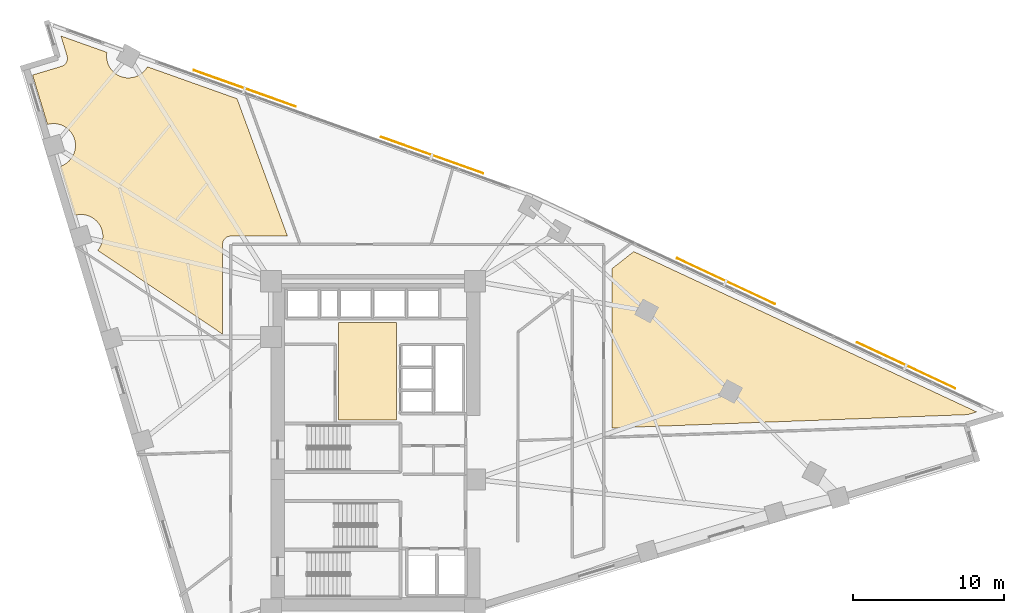
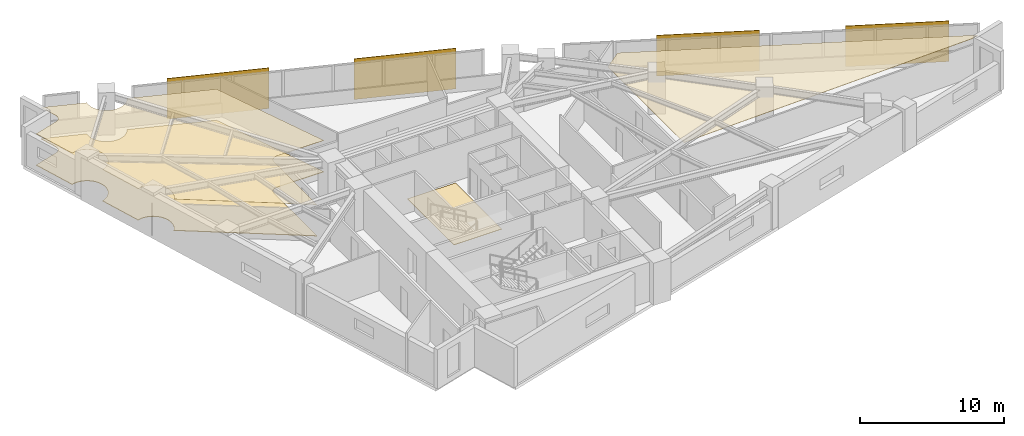
# One storey, part 15 of 15: 4 coverings, 4 shading devices.
"""IFC4 building model written with IfcOpenShell, lengths in metres."""

from ifc_helpers import new_model, si_unit, direction, frame, origin, origin_2d, place, context, subcontext, project, spatial, polyline, rectangle, outline, extrude, material, layer, layer_set, type_object, element, save


model = new_model("IFC4")

# Units and contexts
model_context = context("Model", 3, precision=1e-05, world=origin(), true_north=direction((0.0, 1.0)))
body_context = subcontext(model_context, "Body", "Model", "MODEL_VIEW")
ifc_project = project(units=[si_unit("LENGTHUNIT", "METRE"), si_unit("AREAUNIT", "SQUARE_METRE"), si_unit("VOLUMEUNIT", "CUBIC_METRE"), si_unit("PLANEANGLEUNIT", "RADIAN"), si_unit("MASSUNIT", "GRAM", prefix="KILO")], contexts=[model_context])

# Site, building, storey
site_placement = place(None, origin())
site = spatial("IfcSite", under=ifc_project, at=site_placement, CompositionType="ELEMENT")
building_placement = place(site_placement, origin())
building = spatial("IfcBuilding", under=site, at=building_placement, Name="Narakoshi Arena Tower", CompositionType="ELEMENT")
storey_placement = place(building_placement, frame((0.0, 0.0, 143.10009765625)))
storey = spatial("IfcBuildingStorey", under=building, at=storey_placement, Name="L38", CompositionType="ELEMENT", Elevation=143.10009765625)

# Coverings
ifc_material_1 = material(Name="Acoustic mineral-fibre ceiling tile")
ifc_layer_1 = layer(ifc_material_1, 0.02001953125)
ifc_layer_set_1 = layer_set([ifc_layer_1], Name="Acoustic mineral-fibre ceiling tile")
covering_type_1 = type_object("IfcCoveringType", Name="COV-CLG-AC20", PredefinedType="CEILING", material=ifc_layer_set_1)
covering_1_placement = place(storey_placement, frame((0.0, 0.0, 2.669921875)))
element("IfcCovering", 1, at=covering_1_placement, inside=storey, type_object=covering_type_1, Name="L38 Suspended Acoustic Ceiling 1", PredefinedType="CEILING", context=body_context, shape_type="SweptSolid", body=[
    extrude(outline(polyline([(58.1015625, 70.76611328125), (58.15234375, 70.7841796875), (58.201171875, 70.80712890625), (58.24755859375, 70.834716796875), (58.291015625, 70.86669921875), (58.3310546875, 70.903076171875), (58.367431640625, 70.94287109375), (58.399658203125, 70.986083984375), (58.427490234375, 71.032470703125), (58.45068359375, 71.0810546875), (58.468994140625, 71.1318359375), (58.482177734375, 71.18408203125), (58.490234375, 71.237548828125), (58.492919921875, 71.29150390625), (58.490478515625, 71.345458984375), (58.482666015625, 71.398681640625), (58.4697265625, 71.451171875), (58.070068359375, 72.77880859375), (61.1171875, 71.693603515625), (61.102294921875, 71.59228515625), (61.09521484375, 71.4501953125), (61.102294921875, 71.30810546875), (61.123046875, 71.16748046875), (61.15771484375, 71.029296875), (61.20556640625, 70.8955078125), (61.266357421875, 70.766845703125), (61.339599609375, 70.644775390625), (61.42431640625, 70.530517578125), (61.52001953125, 70.425048828125), (61.625244140625, 70.329345703125), (61.739501953125, 70.24462890625), (61.86181640625, 70.17138671875), (61.990234375, 70.110595703125), (62.124267578125, 70.062744140625), (62.26220703125, 70.0283203125), (62.403076171875, 70.00732421875), (62.545166015625, 70.000244140625), (62.687255859375, 70.00732421875), (62.828125, 70.0283203125), (62.966064453125, 70.062744140625), (63.10009765625, 70.110595703125), (63.228759765625, 70.17138671875), (63.350830078125, 70.24462890625), (63.465087890625, 70.329345703125), (63.570556640625, 70.425048828125), (63.666015625, 70.530517578125), (63.750732421875, 70.644775390625), (63.8056640625, 70.736083984375), (69.755615234375, 68.616943359375), (73.10302734375, 59.493896484375), (69.344970703125, 59.493896484375), (69.291015625, 59.491455078125), (69.23779296875, 59.4833984375), (69.185302734375, 59.47021484375), (69.134521484375, 59.4521484375), (69.085693359375, 59.42919921875), (69.039306640625, 59.4013671875), (68.99609375, 59.369140625), (68.9560546875, 59.3330078125), (68.919921875, 59.29296875), (68.8876953125, 59.24951171875), (68.85986328125, 59.203369140625), (68.8369140625, 59.154541015625), (68.818603515625, 59.103759765625), (68.8056640625, 59.05126953125), (68.797607421875, 58.997802734375), (68.794921875, 58.944091796875), (68.794921875, 52.987060546875), (60.50439453125, 58.547607421875), (60.516845703125, 58.561279296875), (60.6015625, 58.675537109375), (60.6748046875, 58.797607421875), (60.735595703125, 58.92626953125), (60.78369140625, 59.060302734375), (60.818115234375, 59.1982421875), (60.839111328125, 59.339111328125), (60.845947265625, 59.481201171875), (60.839111328125, 59.623291015625), (60.818115234375, 59.76416015625), (60.78369140625, 59.902099609375), (60.735595703125, 60.0361328125), (60.6748046875, 60.164794921875), (60.6015625, 60.286865234375), (60.516845703125, 60.401123046875), (60.42138671875, 60.506591796875), (60.31591796875, 60.60205078125), (60.20166015625, 60.686767578125), (60.07958984375, 60.760009765625), (59.950927734375, 60.82080078125), (59.81689453125, 60.868896484375), (59.678955078125, 60.9033203125), (59.5380859375, 60.92431640625), (59.39599609375, 60.93115234375), (59.25390625, 60.92431640625), (59.113037109375, 60.9033203125), (58.98779296875, 60.8720703125), (58.00830078125, 64.126953125), (58.1357421875, 64.172607421875), (58.264404296875, 64.2333984375), (58.386474609375, 64.306396484375), (58.500732421875, 64.39111328125), (58.606201171875, 64.48681640625), (58.701904296875, 64.59228515625), (58.78662109375, 64.70654296875), (58.859619140625, 64.82861328125), (58.92041015625, 64.957275390625), (58.968505859375, 65.09130859375), (59.0029296875, 65.229248046875), (59.02392578125, 65.3701171875), (59.031005859375, 65.51220703125), (59.02392578125, 65.654296875), (59.0029296875, 65.794921875), (58.968505859375, 65.93310546875), (58.92041015625, 66.06689453125), (58.859619140625, 66.195556640625), (58.78662109375, 66.317626953125), (58.701904296875, 66.431884765625), (58.606201171875, 66.537353515625), (58.500732421875, 66.633056640625), (58.386474609375, 66.7177734375), (58.264404296875, 66.791015625), (58.1357421875, 66.851806640625), (58.001708984375, 66.899658203125), (57.86376953125, 66.93408203125), (57.722900390625, 66.955078125), (57.580810546875, 66.962158203125), (57.438720703125, 66.955078125), (57.298095703125, 66.93408203125), (57.1728515625, 66.90283203125), (56.183837890625, 70.18896484375), (58.1015625, 70.76611328125)])), origin(), (0.0, 0.0, 1.0), 0.02001953125),
])
ifc_material_2 = material(Name="Slatted oak acoustic timber baffle", Category="wood")
ifc_layer_2 = layer(ifc_material_2, 0.034912109375)
ifc_layer_set_2 = layer_set([ifc_layer_2], Name="Slatted oak acoustic timber baffle")
covering_type_2 = type_object("IfcCoveringType", Name="COV-CLG-WD35", PredefinedType="CEILING", material=ifc_layer_set_2)
covering_2_placement = place(storey_placement, frame((0.0, 0.0, 2.65478515625)))
element("IfcCovering", 2, at=covering_2_placement, inside=storey, type_object=covering_type_2, Name="L38 Suspended Acoustic Ceiling 2", PredefinedType="CEILING", context=body_context, shape_type="SweptSolid", body=[
    extrude(outline(polyline([(118.25732421875, 47.643798828125), (94.655029296875, 46.757568359375), (94.655029296875, 57.339599609375), (96.091064453125, 58.4677734375), (118.8564453125, 47.823974609375), (118.25732421875, 47.643798828125)])), origin(), (0.0, 0.0, 1.0), 0.03515625),
])
ifc_material_3 = material(Name="Raised steel access floor panel", Category="steel")
ifc_layer_3 = layer(ifc_material_3, 0.044921875)
ifc_layer_set_3 = layer_set([ifc_layer_3], Name="Raised steel access floor panel")
covering_type_3 = type_object("IfcCoveringType", Name="COV-FLR-RF45", PredefinedType="FLOORING", material=ifc_layer_set_3)
covering_3_placement = place(storey_placement, origin())
element("IfcCovering", 3, at=covering_3_placement, inside=storey, type_object=covering_type_3, Name="L38 Raised Steel Access Floor", PredefinedType="FLOORING", context=body_context, shape_type="SweptSolid", body=[
    extrude(outline(polyline([(58.1015625, 70.76611328125), (58.15234375, 70.7841796875), (58.201171875, 70.80712890625), (58.24755859375, 70.834716796875), (58.291015625, 70.86669921875), (58.3310546875, 70.903076171875), (58.367431640625, 70.94287109375), (58.399658203125, 70.986083984375), (58.427490234375, 71.032470703125), (58.45068359375, 71.0810546875), (58.468994140625, 71.1318359375), (58.482177734375, 71.18408203125), (58.490234375, 71.237548828125), (58.492919921875, 71.29150390625), (58.490478515625, 71.345458984375), (58.482666015625, 71.398681640625), (58.4697265625, 71.451171875), (58.070068359375, 72.77880859375), (61.1171875, 71.693603515625), (61.102294921875, 71.59228515625), (61.09521484375, 71.4501953125), (61.102294921875, 71.30810546875), (61.123046875, 71.16748046875), (61.15771484375, 71.029296875), (61.20556640625, 70.8955078125), (61.266357421875, 70.766845703125), (61.339599609375, 70.644775390625), (61.42431640625, 70.530517578125), (61.52001953125, 70.425048828125), (61.625244140625, 70.329345703125), (61.739501953125, 70.24462890625), (61.86181640625, 70.17138671875), (61.990234375, 70.110595703125), (62.124267578125, 70.062744140625), (62.26220703125, 70.0283203125), (62.403076171875, 70.00732421875), (62.545166015625, 70.000244140625), (62.687255859375, 70.00732421875), (62.828125, 70.0283203125), (62.966064453125, 70.062744140625), (63.10009765625, 70.110595703125), (63.228759765625, 70.17138671875), (63.350830078125, 70.24462890625), (63.465087890625, 70.329345703125), (63.570556640625, 70.425048828125), (63.666015625, 70.530517578125), (63.750732421875, 70.644775390625), (63.8056640625, 70.736083984375), (69.755615234375, 68.616943359375), (73.10302734375, 59.493896484375), (69.344970703125, 59.493896484375), (69.291015625, 59.491455078125), (69.23779296875, 59.4833984375), (69.185302734375, 59.47021484375), (69.134521484375, 59.4521484375), (69.085693359375, 59.42919921875), (69.039306640625, 59.4013671875), (68.99609375, 59.369140625), (68.9560546875, 59.3330078125), (68.919921875, 59.29296875), (68.8876953125, 59.24951171875), (68.85986328125, 59.203369140625), (68.8369140625, 59.154541015625), (68.818603515625, 59.103759765625), (68.8056640625, 59.05126953125), (68.797607421875, 58.997802734375), (68.794921875, 58.944091796875), (68.794921875, 52.987060546875), (60.50439453125, 58.547607421875), (60.516845703125, 58.561279296875), (60.6015625, 58.675537109375), (60.6748046875, 58.797607421875), (60.735595703125, 58.92626953125), (60.78369140625, 59.060302734375), (60.818115234375, 59.1982421875), (60.839111328125, 59.339111328125), (60.845947265625, 59.481201171875), (60.839111328125, 59.623291015625), (60.818115234375, 59.76416015625), (60.78369140625, 59.902099609375), (60.735595703125, 60.0361328125), (60.6748046875, 60.164794921875), (60.6015625, 60.286865234375), (60.516845703125, 60.401123046875), (60.42138671875, 60.506591796875), (60.31591796875, 60.60205078125), (60.20166015625, 60.686767578125), (60.07958984375, 60.760009765625), (59.950927734375, 60.82080078125), (59.81689453125, 60.868896484375), (59.678955078125, 60.9033203125), (59.5380859375, 60.92431640625), (59.39599609375, 60.93115234375), (59.25390625, 60.92431640625), (59.113037109375, 60.9033203125), (58.98779296875, 60.8720703125), (58.00830078125, 64.126953125), (58.1357421875, 64.172607421875), (58.264404296875, 64.2333984375), (58.386474609375, 64.306396484375), (58.500732421875, 64.39111328125), (58.606201171875, 64.48681640625), (58.701904296875, 64.59228515625), (58.78662109375, 64.70654296875), (58.859619140625, 64.82861328125), (58.92041015625, 64.957275390625), (58.968505859375, 65.09130859375), (59.0029296875, 65.229248046875), (59.02392578125, 65.3701171875), (59.031005859375, 65.51220703125), (59.02392578125, 65.654296875), (59.0029296875, 65.794921875), (58.968505859375, 65.93310546875), (58.92041015625, 66.06689453125), (58.859619140625, 66.195556640625), (58.78662109375, 66.317626953125), (58.701904296875, 66.431884765625), (58.606201171875, 66.537353515625), (58.500732421875, 66.633056640625), (58.386474609375, 66.7177734375), (58.264404296875, 66.791015625), (58.1357421875, 66.851806640625), (58.001708984375, 66.899658203125), (57.86376953125, 66.93408203125), (57.722900390625, 66.955078125), (57.580810546875, 66.962158203125), (57.438720703125, 66.955078125), (57.298095703125, 66.93408203125), (57.1728515625, 66.90283203125), (56.183837890625, 70.18896484375), (58.1015625, 70.76611328125)])), origin(), (0.0, 0.0, 1.0), 0.044921875),
])
ifc_material_4 = material(Name="Honed granite stone paving", Category="masonry")
ifc_layer_4 = layer(ifc_material_4, 0.030029296875)
ifc_layer_set_4 = layer_set([ifc_layer_4], Name="Honed granite stone paving")
covering_type_4 = type_object("IfcCoveringType", Name="COV-FLR-ST30", PredefinedType="FLOORING", material=ifc_layer_set_4)
covering_4_placement = place(storey_placement, origin())
element("IfcCovering", 4, at=covering_4_placement, inside=storey, type_object=covering_type_4, Name="L38 Lift Lobby Granite Flooring", PredefinedType="FLOORING", context=body_context, shape_type="SweptSolid", body=[
    extrude(outline(polyline([(76.5, 47.300048828125), (80.35009765625, 47.300048828125), (80.35009765625, 53.75), (76.5, 53.75), (76.5, 47.300048828125)])), origin(), (0.0, 0.0, 1.0), 0.02978515625),
])

# Shading devices
ifc_material_5 = material(Name="Perforated bronze ceramic-metal composite")
ifc_layer_5 = layer(ifc_material_5, 0.044921875)
ifc_layer_set_5 = layer_set([ifc_layer_5], Name="Perforated bronze ceramic-metal composite")
shading_device_type = type_object("IfcShadingDeviceType", Name="SHD-SCR-BRZ1", PredefinedType="USERDEFINED", material=ifc_layer_set_5)
for number, where, z_axis, x_axis, name in (
    (5, (114.172607421875, 50.910888671875, 0.0), (0.0, 0.0, 1.0), (-0.9058795101, 0.423535492234, 0.0), "L38 Perforated Bronze Solar Screen 1-1"),
    (6, (102.21484375, 56.50146484375, 0.0), (0.0, 0.0, 1.0), (-0.9058795101, 0.423535492234, 0.0), "L38 Perforated Bronze Solar Screen 1-2"),
    (7, (82.70068359375, 64.868896484375, 0.0), (0.0, 0.0, 1.0), (-0.942034031554, 0.33551733695, 0.0), "L38 Perforated Bronze Solar Screen 2-1"),
    (8, (70.265869140625, 69.297607421875, 0.0), (0.0, 0.0, 1.0), (-0.942034031554, 0.33551733695, 0.0), "L38 Perforated Bronze Solar Screen 2-2"),
):
    element("IfcShadingDevice", number, at=place(storey_placement, frame(where, z_axis=z_axis, x_axis=x_axis)), inside=storey, type_object=shading_device_type, Name=name, ObjectType="SOLAR SCREEN", PredefinedType="USERDEFINED", context=body_context, shape_type="SweptSolid", body=[
        extrude(rectangle(XDim=7.199951171875, YDim=0.044921875, at=origin_2d()), origin(), (0.0, 0.0, 1.0), 3.449951171875),
    ])

save(model, "model.ifc")
